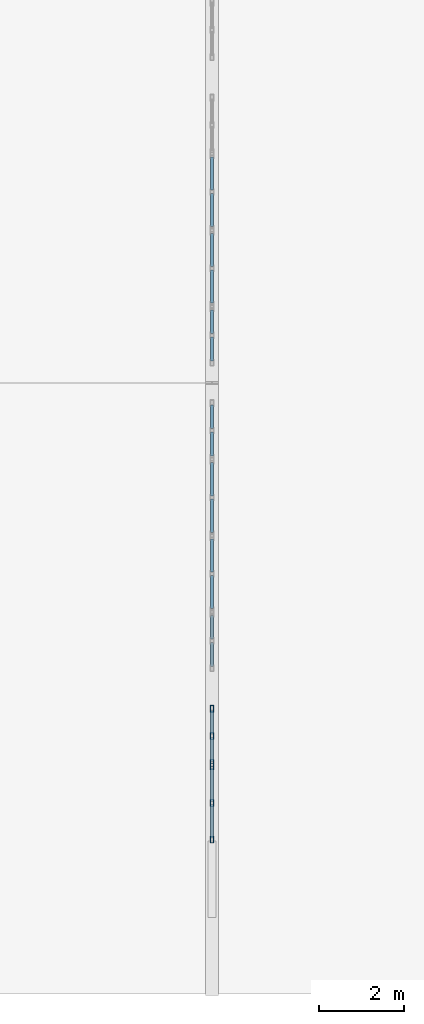
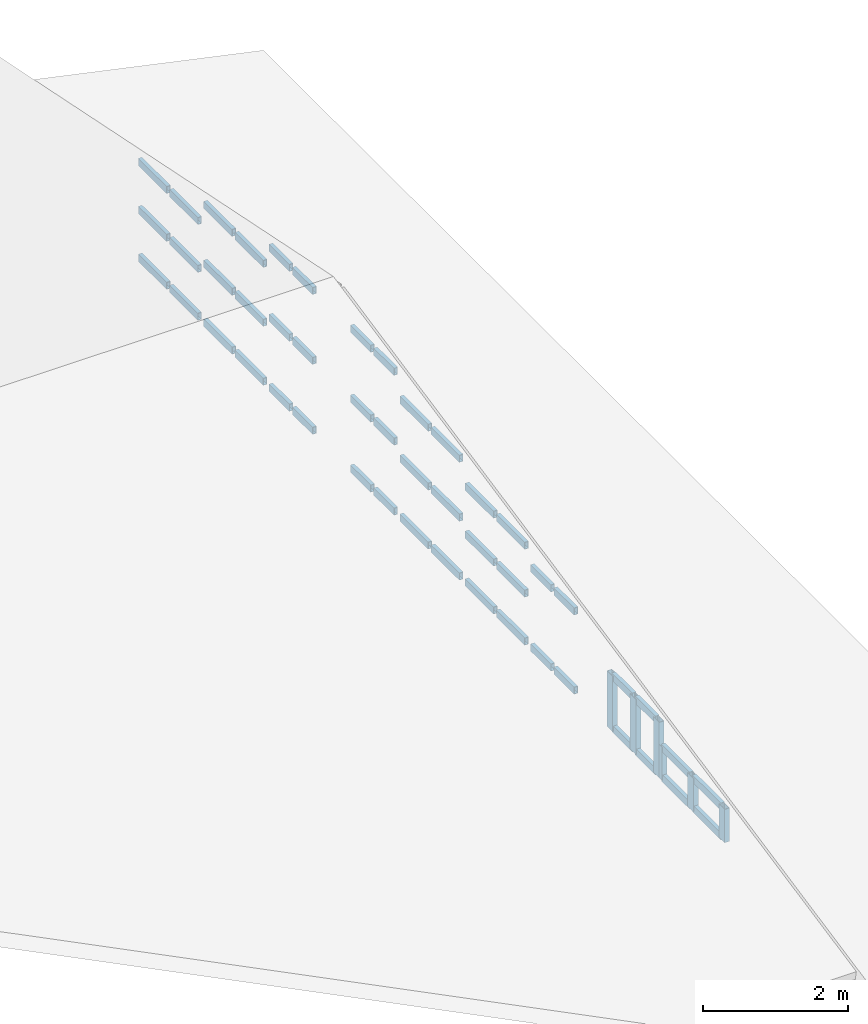
# One storey, part 47 of 76: 54 members, 9 elements without a shape of their own.
"""IFC4 building model written with IfcOpenShell, lengths in metres."""

from ifc_helpers import new_model, si_unit, direction, frame, origin, origin_2d, place, context, subcontext, project, spatial, hollow_rectangle, extrude, material, layer, layer_set, material_profile, profile_set, type_object, element, aggregate, save


model = new_model("IFC4")

# Units and contexts
model_context = context("Model", 3, precision=1e-05, world=origin(), true_north=direction((0.0, 1.0)))
body_context = subcontext(model_context, "Body", "Model", "MODEL_VIEW")
ifc_project = project(units=[si_unit("LENGTHUNIT", "METRE"), si_unit("AREAUNIT", "SQUARE_METRE"), si_unit("VOLUMEUNIT", "CUBIC_METRE"), si_unit("PLANEANGLEUNIT", "RADIAN"), si_unit("MASSUNIT", "GRAM", prefix="KILO"), si_unit("THERMODYNAMICTEMPERATUREUNIT", "KELVIN"), si_unit("POWERUNIT", "WATT")], contexts=[model_context])

# Site, building, storey
site_placement = place(None, origin())
site = spatial("IfcSite", under=ifc_project, at=site_placement, CompositionType="ELEMENT")
building_placement = place(site_placement, origin())
building = spatial("IfcBuilding", under=site, at=building_placement, Name="Kaldorven Railside Theatre", CompositionType="ELEMENT")
storey_placement = place(building_placement, frame((0.0, 0.0, 14.39990234375)))
storey = spatial("IfcBuildingStorey", under=building, at=storey_placement, Name="L03", CompositionType="ELEMENT", Elevation=14.39990234375)

# Curtain wall, members
ifc_material_1 = material(Name="Low-E laminated solar-control glass", Category="glass")
ifc_layer_1 = layer(ifc_material_1, 0.159912109375, Name="Low-E laminated solar-control glass")
ifc_layer_set_1 = layer_set([ifc_layer_1], Name="Low-E laminated solar-control glass")
curtain_wall_type_1 = type_object("IfcCurtainWallType", Name="CWT-71", PredefinedType="USERDEFINED", material=ifc_layer_set_1)
curtain_wall_1_placement = place(storey_placement, origin())
curtain_wall_1 = element("IfcCurtainWall", 1, at=curtain_wall_1_placement, inside=storey, type_object=curtain_wall_type_1, Name="Rehearsal East Gable Clerestory CWG-158", ObjectType="FLUTED GLAZING", PredefinedType="USERDEFINED")
ifc_material_2 = material(Name="Anodised bronze aluminium", Category="aluminium")
ifc_material_profile_1 = material_profile(ifc_material_2, hollow_rectangle(XDim=0.080078125, YDim=0.159912109375, WallThickness=0.00634765625, at=origin_2d()), Name="RHS 160x80x6.3")
ifc_profile_set_1 = profile_set([ifc_material_profile_1], Name="Anodised bronze aluminium")
member_type_1 = type_object("IfcMemberType", Name="CWM-160", PredefinedType="MULLION", material=ifc_profile_set_1)
member_1_placement = place(storey_placement, frame((180.800048828125, 116.43994140625, 0.02001953125), z_axis=(0.0, 0.0, 1.0), x_axis=(-1.0, 0.0, 0.0)))
member_1 = element("IfcMember", 2, at=member_1_placement, type_object=member_type_1, Name="CWG-158 mullion 1", PredefinedType="MULLION", context=body_context, shape_type="SweptSolid", body=[
    extrude(hollow_rectangle(XDim=0.080078125, YDim=0.159912109375, WallThickness=0.00634765625, at=origin_2d()), origin(), (0.0, 0.0, 1.0), 0.56005859375),
])
member_2_placement = place(storey_placement, frame((180.800048828125, 117.300048828125, 0.02001953125), z_axis=(0.0, 0.0, 1.0), x_axis=(-1.0, 0.0, 0.0)))
member_2 = element("IfcMember", 3, at=member_2_placement, type_object=member_type_1, Name="CWG-158 mullion 2", PredefinedType="MULLION", context=body_context, shape_type="SweptSolid", body=[
    extrude(hollow_rectangle(XDim=0.080078125, YDim=0.159912109375, WallThickness=0.00634765625, at=origin_2d()), origin(), (0.0, 0.0, 1.0), 0.56005859375),
])
member_3_placement = place(storey_placement, frame((180.800048828125, 118.159912109375, 0.02001953125), z_axis=(0.0, 0.0, 1.0), x_axis=(-1.0, 0.0, 0.0)))
member_3 = element("IfcMember", 4, at=member_3_placement, type_object=member_type_1, Name="CWG-158 mullion 3", PredefinedType="MULLION", context=body_context, shape_type="SweptSolid", body=[
    extrude(hollow_rectangle(XDim=0.080078125, YDim=0.159912109375, WallThickness=0.00634765625, at=origin_2d()), origin(), (0.0, 0.0, 1.0), 0.56005859375),
])

ifc_layer_2 = layer(ifc_material_1, 0.159912109375, Name="Low-E laminated solar-control glass")
ifc_layer_set_2 = layer_set([ifc_layer_2], Name="Low-E laminated solar-control glass")
curtain_wall_type_2 = type_object("IfcCurtainWallType", Name="CWT-72", PredefinedType="USERDEFINED", material=ifc_layer_set_2)
curtain_wall_2_placement = place(storey_placement, origin())
curtain_wall_2 = element("IfcCurtainWall", 5, at=curtain_wall_2_placement, inside=storey, type_object=curtain_wall_type_2, Name="Rehearsal East Gable Clerestory CWG-159", ObjectType="FLUTED GLAZING", PredefinedType="USERDEFINED")
member_4_placement = place(storey_placement, frame((180.800048828125, 118.239990234375, 0.02001953125), z_axis=(0.0, 0.0, 1.0), x_axis=(-1.0, 0.0, 0.0)))
member_4 = element("IfcMember", 6, at=member_4_placement, type_object=member_type_1, Name="CWG-159 mullion 1", PredefinedType="MULLION", context=body_context, shape_type="SweptSolid", body=[
    extrude(hollow_rectangle(XDim=0.080078125, YDim=0.159912109375, WallThickness=0.00634765625, at=origin_2d()), origin(), (0.0, 0.0, 1.0), 0.93017578125),
])
member_5_placement = place(storey_placement, frame((180.800048828125, 118.8798828125, 0.02001953125), z_axis=(0.0, 0.0, 1.0), x_axis=(-1.0, 0.0, 0.0)))
member_5 = element("IfcMember", 7, at=member_5_placement, type_object=member_type_1, Name="CWG-159 mullion 2", PredefinedType="MULLION", context=body_context, shape_type="SweptSolid", body=[
    extrude(hollow_rectangle(XDim=0.080078125, YDim=0.159912109375, WallThickness=0.00634765625, at=origin_2d()), origin(), (0.0, 0.0, 1.0), 0.93017578125),
])
member_6_placement = place(storey_placement, frame((180.800048828125, 119.52001953125, 0.02001953125), z_axis=(0.0, 0.0, 1.0), x_axis=(-1.0, 0.0, 0.0)))
member_6 = element("IfcMember", 8, at=member_6_placement, type_object=member_type_1, Name="CWG-159 mullion 3", PredefinedType="MULLION", context=body_context, shape_type="SweptSolid", body=[
    extrude(hollow_rectangle(XDim=0.080078125, YDim=0.159912109375, WallThickness=0.00634765625, at=origin_2d()), origin(), (0.0, 0.0, 1.0), 0.93017578125),
])

# Member
ifc_material_profile_2 = material_profile(ifc_material_2, hollow_rectangle(XDim=0.06005859375, YDim=0.1201171875, WallThickness=0.0048828125, at=origin_2d()), Name="RHS 120x60x5")
ifc_profile_set_2 = profile_set([ifc_material_profile_2], Name="Anodised bronze aluminium")
member_type_2 = type_object("IfcMemberType", Name="CWT-120", PredefinedType="USERDEFINED", material=ifc_profile_set_2)
member_7_placement = place(storey_placement, frame((180.800048828125, 116.47998046875, 0.050048828125), z_axis=(0.0, 1.0, 0.0), x_axis=(-1.0, 0.0, 0.0)))
member_7 = element("IfcMember", 9, at=member_7_placement, type_object=member_type_2, Name="CWG-158 transom 1.1", ObjectType="TRANSOM", PredefinedType="USERDEFINED", context=body_context, shape_type="SweptSolid", body=[
    extrude(hollow_rectangle(XDim=0.06005859375, YDim=0.1201171875, WallThickness=0.0048828125, at=origin_2d()), origin(), (0.0, 0.0, 1.0), 0.780029296875),
])

member_8_placement = place(storey_placement, frame((180.800048828125, 116.47998046875, 0.550048828125), z_axis=(0.0, 1.0, 0.0), x_axis=(-1.0, 0.0, 0.0)))
member_8 = element("IfcMember", 10, at=member_8_placement, type_object=member_type_2, Name="CWG-158 transom 1.2", ObjectType="TRANSOM", PredefinedType="USERDEFINED", context=body_context, shape_type="SweptSolid", body=[
    extrude(hollow_rectangle(XDim=0.06005859375, YDim=0.1201171875, WallThickness=0.0048828125, at=origin_2d()), origin(), (0.0, 0.0, 1.0), 0.780029296875),
])

member_9_placement = place(storey_placement, frame((180.800048828125, 117.340087890625, 0.050048828125), z_axis=(0.0, 1.0, 0.0), x_axis=(-1.0, 0.0, 0.0)))
member_9 = element("IfcMember", 11, at=member_9_placement, type_object=member_type_2, Name="CWG-158 transom 2.1", ObjectType="TRANSOM", PredefinedType="USERDEFINED", context=body_context, shape_type="SweptSolid", body=[
    extrude(hollow_rectangle(XDim=0.06005859375, YDim=0.1201171875, WallThickness=0.0048828125, at=origin_2d()), origin(), (0.0, 0.0, 1.0), 0.780029296875),
])

member_10_placement = place(storey_placement, frame((180.800048828125, 117.340087890625, 0.550048828125), z_axis=(0.0, 1.0, 0.0), x_axis=(-1.0, 0.0, 0.0)))
member_10 = element("IfcMember", 12, at=member_10_placement, type_object=member_type_2, Name="CWG-158 transom 2.2", ObjectType="TRANSOM", PredefinedType="USERDEFINED", context=body_context, shape_type="SweptSolid", body=[
    extrude(hollow_rectangle(XDim=0.06005859375, YDim=0.1201171875, WallThickness=0.0048828125, at=origin_2d()), origin(), (0.0, 0.0, 1.0), 0.780029296875),
])

aggregate(curtain_wall_1, [member_1, member_2, member_3, member_7, member_8, member_9, member_10])

member_11_placement = place(storey_placement, frame((180.800048828125, 118.280029296875, 0.050048828125), z_axis=(0.0, 1.0, 0.0), x_axis=(-1.0, 0.0, 0.0)))
member_11 = element("IfcMember", 13, at=member_11_placement, type_object=member_type_2, Name="CWG-159 transom 1.1", ObjectType="TRANSOM", PredefinedType="USERDEFINED", context=body_context, shape_type="SweptSolid", body=[
    extrude(hollow_rectangle(XDim=0.06005859375, YDim=0.1201171875, WallThickness=0.0048828125, at=origin_2d()), origin(), (0.0, 0.0, 1.0), 0.56005859375),
])

member_12_placement = place(storey_placement, frame((180.800048828125, 118.280029296875, 0.920166015625), z_axis=(0.0, 1.0, 0.0), x_axis=(-1.0, 0.0, 0.0)))
member_12 = element("IfcMember", 14, at=member_12_placement, type_object=member_type_2, Name="CWG-159 transom 1.2", ObjectType="TRANSOM", PredefinedType="USERDEFINED", context=body_context, shape_type="SweptSolid", body=[
    extrude(hollow_rectangle(XDim=0.06005859375, YDim=0.1201171875, WallThickness=0.0048828125, at=origin_2d()), origin(), (0.0, 0.0, 1.0), 0.56005859375),
])

member_13_placement = place(storey_placement, frame((180.800048828125, 118.919921875, 0.050048828125), z_axis=(0.0, 1.0, 0.0), x_axis=(-1.0, 0.0, 0.0)))
member_13 = element("IfcMember", 15, at=member_13_placement, type_object=member_type_2, Name="CWG-159 transom 2.1", ObjectType="TRANSOM", PredefinedType="USERDEFINED", context=body_context, shape_type="SweptSolid", body=[
    extrude(hollow_rectangle(XDim=0.06005859375, YDim=0.1201171875, WallThickness=0.0048828125, at=origin_2d()), origin(), (0.0, 0.0, 1.0), 0.56005859375),
])

member_14_placement = place(storey_placement, frame((180.800048828125, 118.919921875, 0.920166015625), z_axis=(0.0, 1.0, 0.0), x_axis=(-1.0, 0.0, 0.0)))
member_14 = element("IfcMember", 16, at=member_14_placement, type_object=member_type_2, Name="CWG-159 transom 2.2", ObjectType="TRANSOM", PredefinedType="USERDEFINED", context=body_context, shape_type="SweptSolid", body=[
    extrude(hollow_rectangle(XDim=0.06005859375, YDim=0.1201171875, WallThickness=0.0048828125, at=origin_2d()), origin(), (0.0, 0.0, 1.0), 0.56005859375),
])

aggregate(curtain_wall_2, [member_4, member_5, member_6, member_11, member_12, member_13, member_14])

# Curtain wall, members
ifc_layer_3 = layer(ifc_material_1, 0.159912109375, Name="Low-E laminated solar-control glass")
ifc_layer_set_3 = layer_set([ifc_layer_3], Name="Low-E laminated solar-control glass")
curtain_wall_type_3 = type_object("IfcCurtainWallType", Name="CWT-73", PredefinedType="USERDEFINED", material=ifc_layer_set_3)
curtain_wall_3_placement = place(storey_placement, origin())
curtain_wall_3 = element("IfcCurtainWall", 17, at=curtain_wall_3_placement, inside=storey, type_object=curtain_wall_type_3, Name="Rehearsal East Gable Clerestory CWG-160", ObjectType="FLUTED GLAZING", PredefinedType="USERDEFINED")
member_15_placement = place(storey_placement, frame((180.800048828125, 120.52001953125, 0.050048828125), z_axis=(0.0, 1.0, 0.0), x_axis=(-1.0, 0.0, 0.0)))
member_15 = element("IfcMember", 18, at=member_15_placement, type_object=member_type_2, Name="CWG-160 transom 1.1", ObjectType="TRANSOM", PredefinedType="USERDEFINED", context=body_context, shape_type="SweptSolid", body=[
    extrude(hollow_rectangle(XDim=0.06005859375, YDim=0.1201171875, WallThickness=0.0048828125, at=origin_2d()), origin(), (0.0, 0.0, 1.0), 0.56005859375),
])
member_16_placement = place(storey_placement, frame((180.800048828125, 120.52001953125, 1.380126953125), z_axis=(0.0, 1.0, 0.0), x_axis=(-1.0, 0.0, 0.0)))
member_16 = element("IfcMember", 19, at=member_16_placement, type_object=member_type_2, Name="CWG-160 transom 1.2", ObjectType="TRANSOM", PredefinedType="USERDEFINED", context=body_context, shape_type="SweptSolid", body=[
    extrude(hollow_rectangle(XDim=0.06005859375, YDim=0.1201171875, WallThickness=0.0048828125, at=origin_2d()), origin(), (0.0, 0.0, 1.0), 0.56005859375),
])
member_17_placement = place(storey_placement, frame((180.800048828125, 121.159912109375, 0.050048828125), z_axis=(0.0, 1.0, 0.0), x_axis=(-1.0, 0.0, 0.0)))
member_17 = element("IfcMember", 20, at=member_17_placement, type_object=member_type_2, Name="CWG-160 transom 2.1", ObjectType="TRANSOM", PredefinedType="USERDEFINED", context=body_context, shape_type="SweptSolid", body=[
    extrude(hollow_rectangle(XDim=0.06005859375, YDim=0.1201171875, WallThickness=0.0048828125, at=origin_2d()), origin(), (0.0, 0.0, 1.0), 0.56005859375),
])
member_18_placement = place(storey_placement, frame((180.800048828125, 121.159912109375, 1.380126953125), z_axis=(0.0, 1.0, 0.0), x_axis=(-1.0, 0.0, 0.0)))
member_18 = element("IfcMember", 21, at=member_18_placement, type_object=member_type_2, Name="CWG-160 transom 2.2", ObjectType="TRANSOM", PredefinedType="USERDEFINED", context=body_context, shape_type="SweptSolid", body=[
    extrude(hollow_rectangle(XDim=0.06005859375, YDim=0.1201171875, WallThickness=0.0048828125, at=origin_2d()), origin(), (0.0, 0.0, 1.0), 0.56005859375),
])
aggregate(curtain_wall_3, [member_15, member_16, member_17, member_18])

ifc_layer_4 = layer(ifc_material_1, 0.159912109375, Name="Low-E laminated solar-control glass")
ifc_layer_set_4 = layer_set([ifc_layer_4], Name="Low-E laminated solar-control glass")
curtain_wall_type_4 = type_object("IfcCurtainWallType", Name="CWT-74", PredefinedType="USERDEFINED", material=ifc_layer_set_4)
curtain_wall_4_placement = place(storey_placement, origin())
curtain_wall_4 = element("IfcCurtainWall", 22, at=curtain_wall_4_placement, inside=storey, type_object=curtain_wall_type_4, Name="Rehearsal East Gable Clerestory CWG-161", ObjectType="FLUTED GLAZING", PredefinedType="USERDEFINED")
member_19_placement = place(storey_placement, frame((180.800048828125, 121.8798828125, 0.050048828125), z_axis=(0.0, 1.0, 0.0), x_axis=(-1.0, 0.0, 0.0)))
member_19 = element("IfcMember", 23, at=member_19_placement, type_object=member_type_2, Name="CWG-161 transom 1.1", ObjectType="TRANSOM", PredefinedType="USERDEFINED", context=body_context, shape_type="SweptSolid", body=[
    extrude(hollow_rectangle(XDim=0.06005859375, YDim=0.1201171875, WallThickness=0.0048828125, at=origin_2d()), origin(), (0.0, 0.0, 1.0), 0.780029296875),
])
member_20_placement = place(storey_placement, frame((180.800048828125, 121.8798828125, 0.85498046875), z_axis=(0.0, 1.0, 0.0), x_axis=(-1.0, 0.0, 0.0)))
member_20 = element("IfcMember", 24, at=member_20_placement, type_object=member_type_2, Name="CWG-161 transom 1.2", ObjectType="TRANSOM", PredefinedType="USERDEFINED", context=body_context, shape_type="SweptSolid", body=[
    extrude(hollow_rectangle(XDim=0.06005859375, YDim=0.1201171875, WallThickness=0.0048828125, at=origin_2d()), origin(), (0.0, 0.0, 1.0), 0.780029296875),
])
member_21_placement = place(storey_placement, frame((180.800048828125, 121.8798828125, 1.66015625), z_axis=(0.0, 1.0, 0.0), x_axis=(-1.0, 0.0, 0.0)))
member_21 = element("IfcMember", 25, at=member_21_placement, type_object=member_type_2, Name="CWG-161 transom 1.3", ObjectType="TRANSOM", PredefinedType="USERDEFINED", context=body_context, shape_type="SweptSolid", body=[
    extrude(hollow_rectangle(XDim=0.06005859375, YDim=0.1201171875, WallThickness=0.0048828125, at=origin_2d()), origin(), (0.0, 0.0, 1.0), 0.780029296875),
])
member_22_placement = place(storey_placement, frame((180.800048828125, 122.739990234375, 0.050048828125), z_axis=(0.0, 1.0, 0.0), x_axis=(-1.0, 0.0, 0.0)))
member_22 = element("IfcMember", 26, at=member_22_placement, type_object=member_type_2, Name="CWG-161 transom 2.1", ObjectType="TRANSOM", PredefinedType="USERDEFINED", context=body_context, shape_type="SweptSolid", body=[
    extrude(hollow_rectangle(XDim=0.06005859375, YDim=0.1201171875, WallThickness=0.0048828125, at=origin_2d()), origin(), (0.0, 0.0, 1.0), 0.780029296875),
])
member_23_placement = place(storey_placement, frame((180.800048828125, 122.739990234375, 0.85498046875), z_axis=(0.0, 1.0, 0.0), x_axis=(-1.0, 0.0, 0.0)))
member_23 = element("IfcMember", 27, at=member_23_placement, type_object=member_type_2, Name="CWG-161 transom 2.2", ObjectType="TRANSOM", PredefinedType="USERDEFINED", context=body_context, shape_type="SweptSolid", body=[
    extrude(hollow_rectangle(XDim=0.06005859375, YDim=0.1201171875, WallThickness=0.0048828125, at=origin_2d()), origin(), (0.0, 0.0, 1.0), 0.780029296875),
])
member_24_placement = place(storey_placement, frame((180.800048828125, 122.739990234375, 1.66015625), z_axis=(0.0, 1.0, 0.0), x_axis=(-1.0, 0.0, 0.0)))
member_24 = element("IfcMember", 28, at=member_24_placement, type_object=member_type_2, Name="CWG-161 transom 2.3", ObjectType="TRANSOM", PredefinedType="USERDEFINED", context=body_context, shape_type="SweptSolid", body=[
    extrude(hollow_rectangle(XDim=0.06005859375, YDim=0.1201171875, WallThickness=0.0048828125, at=origin_2d()), origin(), (0.0, 0.0, 1.0), 0.780029296875),
])
aggregate(curtain_wall_4, [member_19, member_20, member_21, member_22, member_23, member_24])

ifc_layer_5 = layer(ifc_material_1, 0.159912109375, Name="Low-E laminated solar-control glass")
ifc_layer_set_5 = layer_set([ifc_layer_5], Name="Low-E laminated solar-control glass")
curtain_wall_type_5 = type_object("IfcCurtainWallType", Name="CWT-75", PredefinedType="USERDEFINED", material=ifc_layer_set_5)
curtain_wall_5_placement = place(storey_placement, origin())
curtain_wall_5 = element("IfcCurtainWall", 29, at=curtain_wall_5_placement, inside=storey, type_object=curtain_wall_type_5, Name="Rehearsal East Gable Clerestory CWG-162", ObjectType="FLUTED GLAZING", PredefinedType="USERDEFINED")
member_25_placement = place(storey_placement, frame((180.800048828125, 123.679931640625, 0.050048828125), z_axis=(0.0, 1.0, 0.0), x_axis=(-1.0, 0.0, 0.0)))
member_25 = element("IfcMember", 30, at=member_25_placement, type_object=member_type_2, Name="CWG-162 transom 1.1", ObjectType="TRANSOM", PredefinedType="USERDEFINED", context=body_context, shape_type="SweptSolid", body=[
    extrude(hollow_rectangle(XDim=0.06005859375, YDim=0.1201171875, WallThickness=0.0048828125, at=origin_2d()), origin(), (0.0, 0.0, 1.0), 0.780029296875),
])
member_26_placement = place(storey_placement, frame((180.800048828125, 123.679931640625, 1.0400390625), z_axis=(0.0, 1.0, 0.0), x_axis=(-1.0, 0.0, 0.0)))
member_26 = element("IfcMember", 31, at=member_26_placement, type_object=member_type_2, Name="CWG-162 transom 1.2", ObjectType="TRANSOM", PredefinedType="USERDEFINED", context=body_context, shape_type="SweptSolid", body=[
    extrude(hollow_rectangle(XDim=0.06005859375, YDim=0.1201171875, WallThickness=0.0048828125, at=origin_2d()), origin(), (0.0, 0.0, 1.0), 0.780029296875),
])
member_27_placement = place(storey_placement, frame((180.800048828125, 123.679931640625, 2.030029296875), z_axis=(0.0, 1.0, 0.0), x_axis=(-1.0, 0.0, 0.0)))
member_27 = element("IfcMember", 32, at=member_27_placement, type_object=member_type_2, Name="CWG-162 transom 1.3", ObjectType="TRANSOM", PredefinedType="USERDEFINED", context=body_context, shape_type="SweptSolid", body=[
    extrude(hollow_rectangle(XDim=0.06005859375, YDim=0.1201171875, WallThickness=0.0048828125, at=origin_2d()), origin(), (0.0, 0.0, 1.0), 0.780029296875),
])
member_28_placement = place(storey_placement, frame((180.800048828125, 124.5400390625, 0.050048828125), z_axis=(0.0, 1.0, 0.0), x_axis=(-1.0, 0.0, 0.0)))
member_28 = element("IfcMember", 33, at=member_28_placement, type_object=member_type_2, Name="CWG-162 transom 2.1", ObjectType="TRANSOM", PredefinedType="USERDEFINED", context=body_context, shape_type="SweptSolid", body=[
    extrude(hollow_rectangle(XDim=0.06005859375, YDim=0.1201171875, WallThickness=0.0048828125, at=origin_2d()), origin(), (0.0, 0.0, 1.0), 0.780029296875),
])
member_29_placement = place(storey_placement, frame((180.800048828125, 124.5400390625, 1.0400390625), z_axis=(0.0, 1.0, 0.0), x_axis=(-1.0, 0.0, 0.0)))
member_29 = element("IfcMember", 34, at=member_29_placement, type_object=member_type_2, Name="CWG-162 transom 2.2", ObjectType="TRANSOM", PredefinedType="USERDEFINED", context=body_context, shape_type="SweptSolid", body=[
    extrude(hollow_rectangle(XDim=0.06005859375, YDim=0.1201171875, WallThickness=0.0048828125, at=origin_2d()), origin(), (0.0, 0.0, 1.0), 0.780029296875),
])
member_30_placement = place(storey_placement, frame((180.800048828125, 124.5400390625, 2.030029296875), z_axis=(0.0, 1.0, 0.0), x_axis=(-1.0, 0.0, 0.0)))
member_30 = element("IfcMember", 35, at=member_30_placement, type_object=member_type_2, Name="CWG-162 transom 2.3", ObjectType="TRANSOM", PredefinedType="USERDEFINED", context=body_context, shape_type="SweptSolid", body=[
    extrude(hollow_rectangle(XDim=0.06005859375, YDim=0.1201171875, WallThickness=0.0048828125, at=origin_2d()), origin(), (0.0, 0.0, 1.0), 0.780029296875),
])
aggregate(curtain_wall_5, [member_25, member_26, member_27, member_28, member_29, member_30])

ifc_layer_6 = layer(ifc_material_1, 0.159912109375, Name="Low-E laminated solar-control glass")
ifc_layer_set_6 = layer_set([ifc_layer_6], Name="Low-E laminated solar-control glass")
curtain_wall_type_6 = type_object("IfcCurtainWallType", Name="CWT-76", PredefinedType="USERDEFINED", material=ifc_layer_set_6)
curtain_wall_6_placement = place(storey_placement, origin())
curtain_wall_6 = element("IfcCurtainWall", 36, at=curtain_wall_6_placement, inside=storey, type_object=curtain_wall_type_6, Name="Rehearsal East Gable Clerestory CWG-163", ObjectType="FLUTED GLAZING", PredefinedType="USERDEFINED")
member_31_placement = place(storey_placement, frame((180.800048828125, 125.47998046875, 0.050048828125), z_axis=(0.0, 1.0, 0.0), x_axis=(-1.0, 0.0, 0.0)))
member_31 = element("IfcMember", 37, at=member_31_placement, type_object=member_type_2, Name="CWG-163 transom 1.1", ObjectType="TRANSOM", PredefinedType="USERDEFINED", context=body_context, shape_type="SweptSolid", body=[
    extrude(hollow_rectangle(XDim=0.06005859375, YDim=0.1201171875, WallThickness=0.0048828125, at=origin_2d()), origin(), (0.0, 0.0, 1.0), 0.56005859375),
])
member_32_placement = place(storey_placement, frame((180.800048828125, 125.47998046875, 1.22509765625), z_axis=(0.0, 1.0, 0.0), x_axis=(-1.0, 0.0, 0.0)))
member_32 = element("IfcMember", 38, at=member_32_placement, type_object=member_type_2, Name="CWG-163 transom 1.2", ObjectType="TRANSOM", PredefinedType="USERDEFINED", context=body_context, shape_type="SweptSolid", body=[
    extrude(hollow_rectangle(XDim=0.06005859375, YDim=0.1201171875, WallThickness=0.0048828125, at=origin_2d()), origin(), (0.0, 0.0, 1.0), 0.56005859375),
])
member_33_placement = place(storey_placement, frame((180.800048828125, 125.47998046875, 2.400146484375), z_axis=(0.0, 1.0, 0.0), x_axis=(-1.0, 0.0, 0.0)))
member_33 = element("IfcMember", 39, at=member_33_placement, type_object=member_type_2, Name="CWG-163 transom 1.3", ObjectType="TRANSOM", PredefinedType="USERDEFINED", context=body_context, shape_type="SweptSolid", body=[
    extrude(hollow_rectangle(XDim=0.06005859375, YDim=0.1201171875, WallThickness=0.0048828125, at=origin_2d()), origin(), (0.0, 0.0, 1.0), 0.56005859375),
])
member_34_placement = place(storey_placement, frame((180.800048828125, 126.1201171875, 0.050048828125), z_axis=(0.0, 1.0, 0.0), x_axis=(-1.0, 0.0, 0.0)))
member_34 = element("IfcMember", 40, at=member_34_placement, type_object=member_type_2, Name="CWG-163 transom 2.1", ObjectType="TRANSOM", PredefinedType="USERDEFINED", context=body_context, shape_type="SweptSolid", body=[
    extrude(hollow_rectangle(XDim=0.06005859375, YDim=0.1201171875, WallThickness=0.0048828125, at=origin_2d()), origin(), (0.0, 0.0, 1.0), 0.559814453125),
])
member_35_placement = place(storey_placement, frame((180.800048828125, 126.1201171875, 1.22509765625), z_axis=(0.0, 1.0, 0.0), x_axis=(-1.0, 0.0, 0.0)))
member_35 = element("IfcMember", 41, at=member_35_placement, type_object=member_type_2, Name="CWG-163 transom 2.2", ObjectType="TRANSOM", PredefinedType="USERDEFINED", context=body_context, shape_type="SweptSolid", body=[
    extrude(hollow_rectangle(XDim=0.06005859375, YDim=0.1201171875, WallThickness=0.0048828125, at=origin_2d()), origin(), (0.0, 0.0, 1.0), 0.559814453125),
])
member_36_placement = place(storey_placement, frame((180.800048828125, 126.1201171875, 2.400146484375), z_axis=(0.0, 1.0, 0.0), x_axis=(-1.0, 0.0, 0.0)))
member_36 = element("IfcMember", 42, at=member_36_placement, type_object=member_type_2, Name="CWG-163 transom 2.3", ObjectType="TRANSOM", PredefinedType="USERDEFINED", context=body_context, shape_type="SweptSolid", body=[
    extrude(hollow_rectangle(XDim=0.06005859375, YDim=0.1201171875, WallThickness=0.0048828125, at=origin_2d()), origin(), (0.0, 0.0, 1.0), 0.559814453125),
])
aggregate(curtain_wall_6, [member_31, member_32, member_33, member_34, member_35, member_36])

curtain_wall_7_placement = place(storey_placement, origin())
curtain_wall_7 = element("IfcCurtainWall", 43, at=curtain_wall_7_placement, inside=storey, type_object=curtain_wall_type_6, Name="Rehearsal East Gable Clerestory CWG-164", ObjectType="FLUTED GLAZING", PredefinedType="USERDEFINED")
member_37_placement = place(storey_placement, frame((180.800048828125, 127.719970703125, 0.050048828125), z_axis=(0.0, 1.0, 0.0), x_axis=(-1.0, 0.0, 0.0)))
member_37 = element("IfcMember", 44, at=member_37_placement, type_object=member_type_2, Name="CWG-164 transom 1.1", ObjectType="TRANSOM", PredefinedType="USERDEFINED", context=body_context, shape_type="SweptSolid", body=[
    extrude(hollow_rectangle(XDim=0.06005859375, YDim=0.1201171875, WallThickness=0.0048828125, at=origin_2d()), origin(), (0.0, 0.0, 1.0), 0.56005859375),
])
member_38_placement = place(storey_placement, frame((180.800048828125, 127.719970703125, 1.22509765625), z_axis=(0.0, 1.0, 0.0), x_axis=(-1.0, 0.0, 0.0)))
member_38 = element("IfcMember", 45, at=member_38_placement, type_object=member_type_2, Name="CWG-164 transom 1.2", ObjectType="TRANSOM", PredefinedType="USERDEFINED", context=body_context, shape_type="SweptSolid", body=[
    extrude(hollow_rectangle(XDim=0.06005859375, YDim=0.1201171875, WallThickness=0.0048828125, at=origin_2d()), origin(), (0.0, 0.0, 1.0), 0.56005859375),
])
member_39_placement = place(storey_placement, frame((180.800048828125, 127.719970703125, 2.400146484375), z_axis=(0.0, 1.0, 0.0), x_axis=(-1.0, 0.0, 0.0)))
member_39 = element("IfcMember", 46, at=member_39_placement, type_object=member_type_2, Name="CWG-164 transom 1.3", ObjectType="TRANSOM", PredefinedType="USERDEFINED", context=body_context, shape_type="SweptSolid", body=[
    extrude(hollow_rectangle(XDim=0.06005859375, YDim=0.1201171875, WallThickness=0.0048828125, at=origin_2d()), origin(), (0.0, 0.0, 1.0), 0.56005859375),
])
member_40_placement = place(storey_placement, frame((180.800048828125, 128.360107421875, 0.050048828125), z_axis=(0.0, 1.0, 0.0), x_axis=(-1.0, 0.0, 0.0)))
member_40 = element("IfcMember", 47, at=member_40_placement, type_object=member_type_2, Name="CWG-164 transom 2.1", ObjectType="TRANSOM", PredefinedType="USERDEFINED", context=body_context, shape_type="SweptSolid", body=[
    extrude(hollow_rectangle(XDim=0.06005859375, YDim=0.1201171875, WallThickness=0.0048828125, at=origin_2d()), origin(), (0.0, 0.0, 1.0), 0.559814453125),
])
member_41_placement = place(storey_placement, frame((180.800048828125, 128.360107421875, 1.22509765625), z_axis=(0.0, 1.0, 0.0), x_axis=(-1.0, 0.0, 0.0)))
member_41 = element("IfcMember", 48, at=member_41_placement, type_object=member_type_2, Name="CWG-164 transom 2.2", ObjectType="TRANSOM", PredefinedType="USERDEFINED", context=body_context, shape_type="SweptSolid", body=[
    extrude(hollow_rectangle(XDim=0.06005859375, YDim=0.1201171875, WallThickness=0.0048828125, at=origin_2d()), origin(), (0.0, 0.0, 1.0), 0.559814453125),
])
member_42_placement = place(storey_placement, frame((180.800048828125, 128.360107421875, 2.400146484375), z_axis=(0.0, 1.0, 0.0), x_axis=(-1.0, 0.0, 0.0)))
member_42 = element("IfcMember", 49, at=member_42_placement, type_object=member_type_2, Name="CWG-164 transom 2.3", ObjectType="TRANSOM", PredefinedType="USERDEFINED", context=body_context, shape_type="SweptSolid", body=[
    extrude(hollow_rectangle(XDim=0.06005859375, YDim=0.1201171875, WallThickness=0.0048828125, at=origin_2d()), origin(), (0.0, 0.0, 1.0), 0.559814453125),
])
aggregate(curtain_wall_7, [member_37, member_38, member_39, member_40, member_41, member_42])

curtain_wall_8_placement = place(storey_placement, origin())
curtain_wall_8 = element("IfcCurtainWall", 50, at=curtain_wall_8_placement, inside=storey, type_object=curtain_wall_type_5, Name="Rehearsal East Gable Clerestory CWG-165", ObjectType="FLUTED GLAZING", PredefinedType="USERDEFINED")
member_43_placement = place(storey_placement, frame((180.800048828125, 129.080078125, 0.050048828125), z_axis=(0.0, 1.0, 0.0), x_axis=(-1.0, 0.0, 0.0)))
member_43 = element("IfcMember", 51, at=member_43_placement, type_object=member_type_2, Name="CWG-165 transom 1.1", ObjectType="TRANSOM", PredefinedType="USERDEFINED", context=body_context, shape_type="SweptSolid", body=[
    extrude(hollow_rectangle(XDim=0.06005859375, YDim=0.1201171875, WallThickness=0.0048828125, at=origin_2d()), origin(), (0.0, 0.0, 1.0), 0.780029296875),
])
member_44_placement = place(storey_placement, frame((180.800048828125, 129.080078125, 1.0400390625), z_axis=(0.0, 1.0, 0.0), x_axis=(-1.0, 0.0, 0.0)))
member_44 = element("IfcMember", 52, at=member_44_placement, type_object=member_type_2, Name="CWG-165 transom 1.2", ObjectType="TRANSOM", PredefinedType="USERDEFINED", context=body_context, shape_type="SweptSolid", body=[
    extrude(hollow_rectangle(XDim=0.06005859375, YDim=0.1201171875, WallThickness=0.0048828125, at=origin_2d()), origin(), (0.0, 0.0, 1.0), 0.780029296875),
])
member_45_placement = place(storey_placement, frame((180.800048828125, 129.080078125, 2.030029296875), z_axis=(0.0, 1.0, 0.0), x_axis=(-1.0, 0.0, 0.0)))
member_45 = element("IfcMember", 53, at=member_45_placement, type_object=member_type_2, Name="CWG-165 transom 1.3", ObjectType="TRANSOM", PredefinedType="USERDEFINED", context=body_context, shape_type="SweptSolid", body=[
    extrude(hollow_rectangle(XDim=0.06005859375, YDim=0.1201171875, WallThickness=0.0048828125, at=origin_2d()), origin(), (0.0, 0.0, 1.0), 0.780029296875),
])
member_46_placement = place(storey_placement, frame((180.800048828125, 129.93994140625, 0.050048828125), z_axis=(0.0, 1.0, 0.0), x_axis=(-1.0, 0.0, 0.0)))
member_46 = element("IfcMember", 54, at=member_46_placement, type_object=member_type_2, Name="CWG-165 transom 2.1", ObjectType="TRANSOM", PredefinedType="USERDEFINED", context=body_context, shape_type="SweptSolid", body=[
    extrude(hollow_rectangle(XDim=0.06005859375, YDim=0.1201171875, WallThickness=0.0048828125, at=origin_2d()), origin(), (0.0, 0.0, 1.0), 0.780029296875),
])
member_47_placement = place(storey_placement, frame((180.800048828125, 129.93994140625, 1.0400390625), z_axis=(0.0, 1.0, 0.0), x_axis=(-1.0, 0.0, 0.0)))
member_47 = element("IfcMember", 55, at=member_47_placement, type_object=member_type_2, Name="CWG-165 transom 2.2", ObjectType="TRANSOM", PredefinedType="USERDEFINED", context=body_context, shape_type="SweptSolid", body=[
    extrude(hollow_rectangle(XDim=0.06005859375, YDim=0.1201171875, WallThickness=0.0048828125, at=origin_2d()), origin(), (0.0, 0.0, 1.0), 0.780029296875),
])
member_48_placement = place(storey_placement, frame((180.800048828125, 129.93994140625, 2.030029296875), z_axis=(0.0, 1.0, 0.0), x_axis=(-1.0, 0.0, 0.0)))
member_48 = element("IfcMember", 56, at=member_48_placement, type_object=member_type_2, Name="CWG-165 transom 2.3", ObjectType="TRANSOM", PredefinedType="USERDEFINED", context=body_context, shape_type="SweptSolid", body=[
    extrude(hollow_rectangle(XDim=0.06005859375, YDim=0.1201171875, WallThickness=0.0048828125, at=origin_2d()), origin(), (0.0, 0.0, 1.0), 0.780029296875),
])
aggregate(curtain_wall_8, [member_43, member_44, member_45, member_46, member_47, member_48])

curtain_wall_9_placement = place(storey_placement, origin())
curtain_wall_9 = element("IfcCurtainWall", 57, at=curtain_wall_9_placement, inside=storey, type_object=curtain_wall_type_4, Name="Rehearsal East Gable Clerestory CWG-166", ObjectType="FLUTED GLAZING", PredefinedType="USERDEFINED")
member_49_placement = place(storey_placement, frame((180.800048828125, 130.8798828125, 0.050048828125), z_axis=(0.0, 1.0, 0.0), x_axis=(-1.0, 0.0, 0.0)))
member_49 = element("IfcMember", 58, at=member_49_placement, type_object=member_type_2, Name="CWG-166 transom 1.1", ObjectType="TRANSOM", PredefinedType="USERDEFINED", context=body_context, shape_type="SweptSolid", body=[
    extrude(hollow_rectangle(XDim=0.06005859375, YDim=0.1201171875, WallThickness=0.0048828125, at=origin_2d()), origin(), (0.0, 0.0, 1.0), 0.780029296875),
])
member_50_placement = place(storey_placement, frame((180.800048828125, 130.8798828125, 0.85498046875), z_axis=(0.0, 1.0, 0.0), x_axis=(-1.0, 0.0, 0.0)))
member_50 = element("IfcMember", 59, at=member_50_placement, type_object=member_type_2, Name="CWG-166 transom 1.2", ObjectType="TRANSOM", PredefinedType="USERDEFINED", context=body_context, shape_type="SweptSolid", body=[
    extrude(hollow_rectangle(XDim=0.06005859375, YDim=0.1201171875, WallThickness=0.0048828125, at=origin_2d()), origin(), (0.0, 0.0, 1.0), 0.780029296875),
])
member_51_placement = place(storey_placement, frame((180.800048828125, 130.8798828125, 1.66015625), z_axis=(0.0, 1.0, 0.0), x_axis=(-1.0, 0.0, 0.0)))
member_51 = element("IfcMember", 60, at=member_51_placement, type_object=member_type_2, Name="CWG-166 transom 1.3", ObjectType="TRANSOM", PredefinedType="USERDEFINED", context=body_context, shape_type="SweptSolid", body=[
    extrude(hollow_rectangle(XDim=0.06005859375, YDim=0.1201171875, WallThickness=0.0048828125, at=origin_2d()), origin(), (0.0, 0.0, 1.0), 0.780029296875),
])
member_52_placement = place(storey_placement, frame((180.800048828125, 131.739990234375, 0.050048828125), z_axis=(0.0, 1.0, 0.0), x_axis=(-1.0, 0.0, 0.0)))
member_52 = element("IfcMember", 61, at=member_52_placement, type_object=member_type_2, Name="CWG-166 transom 2.1", ObjectType="TRANSOM", PredefinedType="USERDEFINED", context=body_context, shape_type="SweptSolid", body=[
    extrude(hollow_rectangle(XDim=0.06005859375, YDim=0.1201171875, WallThickness=0.0048828125, at=origin_2d()), origin(), (0.0, 0.0, 1.0), 0.780029296875),
])
member_53_placement = place(storey_placement, frame((180.800048828125, 131.739990234375, 0.85498046875), z_axis=(0.0, 1.0, 0.0), x_axis=(-1.0, 0.0, 0.0)))
member_53 = element("IfcMember", 62, at=member_53_placement, type_object=member_type_2, Name="CWG-166 transom 2.2", ObjectType="TRANSOM", PredefinedType="USERDEFINED", context=body_context, shape_type="SweptSolid", body=[
    extrude(hollow_rectangle(XDim=0.06005859375, YDim=0.1201171875, WallThickness=0.0048828125, at=origin_2d()), origin(), (0.0, 0.0, 1.0), 0.780029296875),
])
member_54_placement = place(storey_placement, frame((180.800048828125, 131.739990234375, 1.66015625), z_axis=(0.0, 1.0, 0.0), x_axis=(-1.0, 0.0, 0.0)))
member_54 = element("IfcMember", 63, at=member_54_placement, type_object=member_type_2, Name="CWG-166 transom 2.3", ObjectType="TRANSOM", PredefinedType="USERDEFINED", context=body_context, shape_type="SweptSolid", body=[
    extrude(hollow_rectangle(XDim=0.06005859375, YDim=0.1201171875, WallThickness=0.0048828125, at=origin_2d()), origin(), (0.0, 0.0, 1.0), 0.780029296875),
])
aggregate(curtain_wall_9, [member_49, member_50, member_51, member_52, member_53, member_54])

save(model, "model.ifc")
